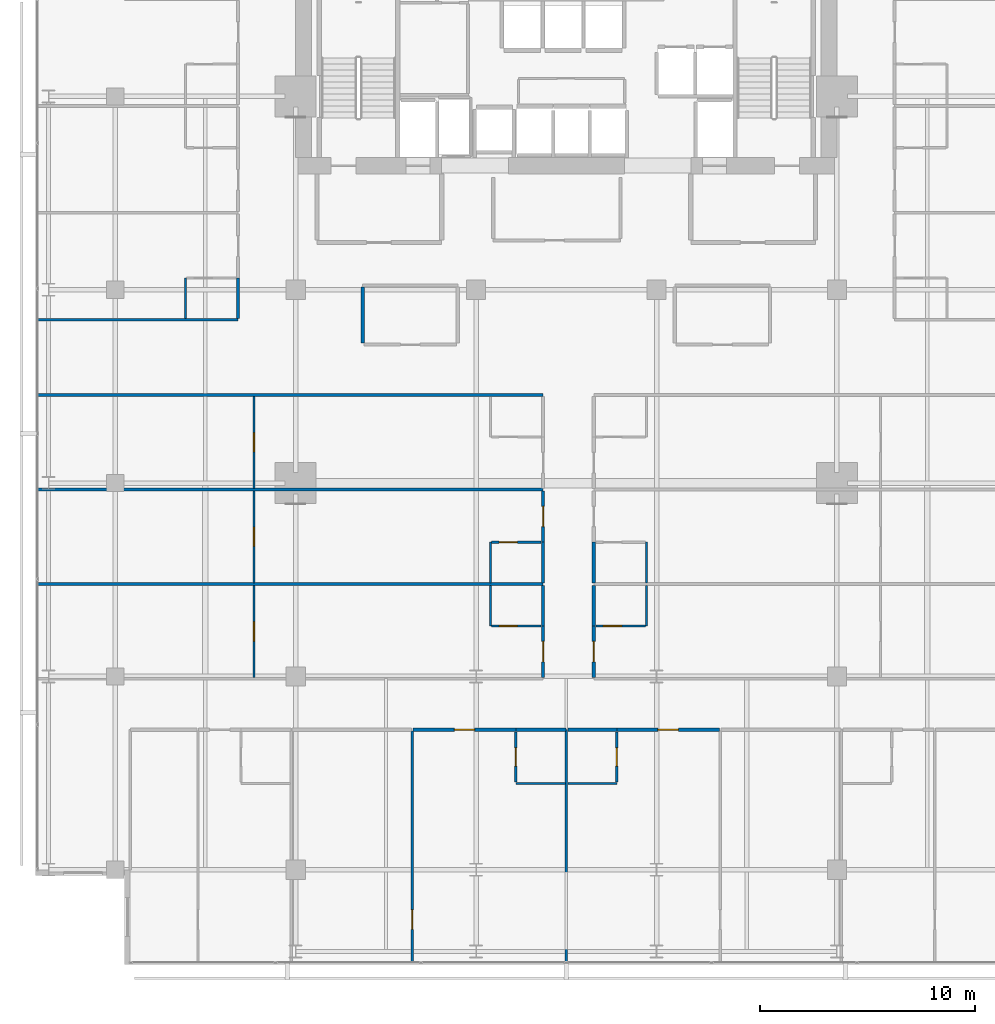
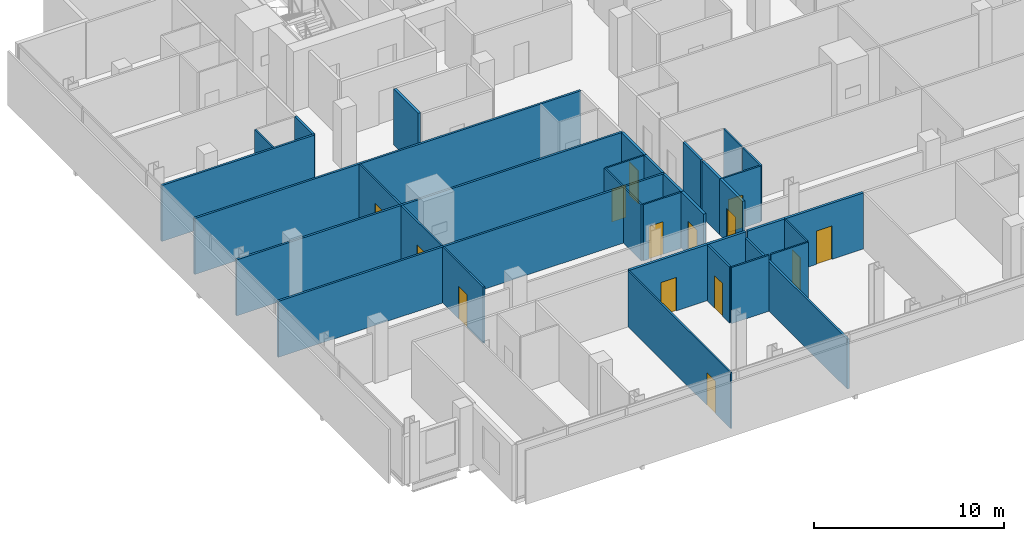
# One storey, part 27 of 34: 34 walls, 14 doors, 14 openings.
"""IFC4 building model written with IfcOpenShell, lengths in metres."""

from ifc_helpers import new_model, si_unit, direction, frame, frame_2d, origin, place, context, subcontext, project, spatial, rectangle, extrude, material, layer, layer_set, type_object, element, fill, save


model = new_model("IFC4")

# Units and contexts
model_context = context("Model", 3, precision=1e-05, world=origin(), true_north=direction((0.0, 1.0)))
body_context = subcontext(model_context, "Body", "Model", "MODEL_VIEW")
ifc_project = project(units=[si_unit("LENGTHUNIT", "METRE"), si_unit("AREAUNIT", "SQUARE_METRE"), si_unit("VOLUMEUNIT", "CUBIC_METRE"), si_unit("PLANEANGLEUNIT", "RADIAN"), si_unit("MASSUNIT", "GRAM", prefix="KILO")], contexts=[model_context])

# Site, building, storey
site_placement = place(None, origin())
site = spatial("IfcSite", under=ifc_project, at=site_placement, CompositionType="ELEMENT")
building_placement = place(site_placement, origin())
building = spatial("IfcBuilding", under=site, at=building_placement, Name="Maruvema Waterfront Hotel and Observation Tower", CompositionType="ELEMENT")
storey_placement = place(building_placement, frame((0.0, 0.0, 208.25)))
storey = spatial("IfcBuildingStorey", under=building, at=storey_placement, Name="L51", CompositionType="ELEMENT", Elevation=208.25)

# Walls
ifc_material_1 = material(Name="Twin-stud acoustic gypsum drywall", Category="gypsum")
ifc_layer_1 = layer(ifc_material_1, 0.14990234375, Name="Acoustic Corridor and Suite Demising Wall 150 mm")
ifc_layer_set_1 = layer_set([ifc_layer_1], Name="Twin-stud acoustic gypsum drywall")
wall_type_1 = type_object("IfcWallType", Name="Acoustic Corridor and Suite Demising Wall 150 mm", PredefinedType="PARTITIONING", material=ifc_layer_set_1)
wall_1_placement = place(storey_placement, frame((28.320068359375, 33.530029296875, 0.0), z_axis=(0.0, 0.0, 1.0), x_axis=(0.0, 1.0, 0.0)))
element("IfcWall", 1, at=wall_1_placement, inside=storey, type_object=wall_type_1, Name="L51 L51-M1 West Wall 022", PredefinedType="PARTITIONING", context=body_context, shape_type="SweptSolid", body=[
    extrude(rectangle(XDim=2.590087890625, YDim=0.14990234375, at=frame_2d((1.294921875, 0.0))), origin(), (0.0, 0.0, 1.0), 3.610107421875),
])
wall_2_placement = place(storey_placement, frame((35.449951171875, 15.52001953125, 0.0), z_axis=(0.0, 0.0, 1.0), x_axis=(1.0, 0.0, 0.0)))
element("IfcWall", 2, at=wall_2_placement, inside=storey, type_object=wall_type_1, Name="L51 Bath L51-S2 Back Wall 038", PredefinedType="PARTITIONING", context=body_context, shape_type="SweptSolid", body=[
    extrude(rectangle(XDim=2.330078125, YDim=0.14990234375, at=frame_2d((1.1650390625, 0.0))), origin(), (0.0, 0.0, 1.0), 3.610107421875),
])

# Wall, opening, door
wall_3_placement = place(storey_placement, frame((30.672119140625, 15.52001953125, 0.0), z_axis=(0.0, 0.0, 1.0), x_axis=(1.0, 0.0, 0.0)))
wall_3 = element("IfcWall", 3, at=wall_3_placement, inside=storey, type_object=wall_type_1, Name="L51 Unit L51-S2 Corridor Wall 042", PredefinedType="PARTITIONING", context=body_context, shape_type="SweptSolid", body=[
    extrude(rectangle(XDim=4.77783203125, YDim=0.14990234375, at=frame_2d((2.388916015625, 0.0))), origin(), (0.0, 0.0, 1.0), 3.610107421875),
])
opening_1_placement = place(wall_3_placement, frame((1.9140625, 0.0, 0.0)))
opening_1 = element("IfcOpeningElement", 4, at=opening_1_placement, cuts=wall_3, Name="Opening DR-095", PredefinedType="OPENING", context=body_context, shape_type="SweptSolid", body=[
    extrude(rectangle(XDim=0.949951171875, YDim=2.14990234375, at=frame_2d((0.47509765625, 1.074951171875))), frame((0.0, 0.0849609375, 0.0), z_axis=(0.0, -1.0, 0.0), x_axis=(1.0, 0.0, 0.0)), (0.0, 0.0, 1.0), 0.169921875),
])
ifc_material_2 = material(Name="Acoustic solid-core hardwood timber leaf", Category="wood")
door_type_1 = type_object("IfcDoorType", Name="Guestroom Entrance Fire Door 950x2150 mm", OperationType="NOTDEFINED", PredefinedType="DOOR", material=ifc_material_2)
door_1_placement = place(opening_1_placement, frame((0.949951171875, 0.0, 0.0), z_axis=(0.0, 0.0, 1.0), x_axis=(-1.0, 0.0, 0.0)))
door_1 = element("IfcDoor", 5, at=door_1_placement, inside=storey, type_object=door_type_1, Name="L51 Unit L51-S2 Entrance Door", OperationType="SINGLE_SWING_LEFT", OverallHeight=2.14990234375, OverallWidth=0.949951171875, PredefinedType="DOOR", context=body_context, shape_type="SweptSolid", body=[
    extrude(rectangle(XDim=0.949951171875, YDim=2.14990234375, at=frame_2d((0.47509765625, 1.074951171875))), frame((0.0, 0.02490234375, 0.0), z_axis=(0.0, -1.0, 0.0), x_axis=(1.0, 0.0, 0.0)), (0.0, 0.0, 1.0), 0.050048828125),
])
fill(opening_1, door_1)

# Wall
wall_4_placement = place(storey_placement, frame((37.8798828125, 15.52001953125, 0.0), z_axis=(0.0, 0.0, 1.0), x_axis=(1.0, 0.0, 0.0)))
element("IfcWall", 6, at=wall_4_placement, inside=storey, type_object=wall_type_1, Name="L51 Bath L51-S3 Back Wall 045", PredefinedType="PARTITIONING", context=body_context, shape_type="SweptSolid", body=[
    extrude(rectangle(XDim=2.27001953125, YDim=0.14990234375, at=frame_2d((1.135009765625, 0.0))), origin(), (0.0, 0.0, 1.0), 3.610107421875),
])

# Wall, opening, door
wall_5_placement = place(storey_placement, frame((40.14990234375, 15.52001953125, 0.0), z_axis=(0.0, 0.0, 1.0), x_axis=(1.0, 0.0, 0.0)))
wall_5 = element("IfcWall", 7, at=wall_5_placement, inside=storey, type_object=wall_type_1, Name="L51 Unit L51-S3 Corridor Wall 048", PredefinedType="PARTITIONING", context=body_context, shape_type="SweptSolid", body=[
    extrude(rectangle(XDim=4.778076171875, YDim=0.14990234375, at=frame_2d((2.38916015625, 0.0))), origin(), (0.0, 0.0, 1.0), 3.610107421875),
])
opening_2_placement = place(wall_5_placement, frame((1.9140625, 0.0, 0.0)))
opening_2 = element("IfcOpeningElement", 8, at=opening_2_placement, cuts=wall_5, Name="Opening DR-095", PredefinedType="OPENING", context=body_context, shape_type="SweptSolid", body=[
    extrude(rectangle(XDim=0.949951171875, YDim=2.14990234375, at=frame_2d((0.47509765625, 1.074951171875))), frame((0.0, 0.0849609375, 0.0), z_axis=(0.0, -1.0, 0.0), x_axis=(1.0, 0.0, 0.0)), (0.0, 0.0, 1.0), 0.169921875),
])
door_2_placement = place(opening_2_placement, frame((0.949951171875, 0.0, 0.0), z_axis=(0.0, 0.0, 1.0), x_axis=(-1.0, 0.0, 0.0)))
door_2 = element("IfcDoor", 9, at=door_2_placement, inside=storey, type_object=door_type_1, Name="L51 Unit L51-S3 Entrance Door", OperationType="SINGLE_SWING_RIGHT", OverallHeight=2.14990234375, OverallWidth=0.949951171875, PredefinedType="DOOR", context=body_context, shape_type="SweptSolid", body=[
    extrude(rectangle(XDim=0.949951171875, YDim=2.14990234375, at=frame_2d((0.47509765625, 1.074951171875))), frame((0.0, 0.02490234375, 0.0), z_axis=(0.0, -1.0, 0.0), x_axis=(1.0, 0.0, 0.0)), (0.0, 0.0, 1.0), 0.050048828125),
])
fill(opening_2, door_2)

wall_6_placement = place(storey_placement, frame((36.719970703125, 17.9599609375, 0.0), z_axis=(0.0, 0.0, 1.0), x_axis=(0.0, 1.0, 0.0)))
wall_6 = element("IfcWall", 10, at=wall_6_placement, inside=storey, type_object=wall_type_1, Name="L51 Room L51-W1 Corridor Wall 062", PredefinedType="PARTITIONING", context=body_context, shape_type="SweptSolid", body=[
    extrude(rectangle(XDim=2.39013671875, YDim=0.14990234375, at=frame_2d((1.195068359375, 0.0))), origin(), (0.0, 0.0, 1.0), 3.610107421875),
])
opening_3_placement = place(wall_6_placement, frame((0.719970703125, 0.0, 0.0)))
opening_3 = element("IfcOpeningElement", 11, at=opening_3_placement, cuts=wall_6, Name="Opening DR-095", PredefinedType="OPENING", context=body_context, shape_type="SweptSolid", body=[
    extrude(rectangle(XDim=0.949951171875, YDim=2.14990234375, at=frame_2d((0.47509765625, 1.074951171875))), frame((0.0, 0.0849609375, 0.0), z_axis=(0.0, -1.0, 0.0), x_axis=(1.0, 0.0, 0.0)), (0.0, 0.0, 1.0), 0.169921875),
])
door_3_placement = place(opening_3_placement, origin())
door_3 = element("IfcDoor", 12, at=door_3_placement, inside=storey, type_object=door_type_1, Name="L51 Room L51-W1 Entrance Door", OperationType="SINGLE_SWING_RIGHT", OverallHeight=2.14990234375, OverallWidth=0.949951171875, PredefinedType="DOOR", context=body_context, shape_type="SweptSolid", body=[
    extrude(rectangle(XDim=0.949951171875, YDim=2.14990234375, at=frame_2d((0.47509765625, 1.074951171875))), frame((0.0, 0.02490234375, 0.0), z_axis=(0.0, -1.0, 0.0), x_axis=(1.0, 0.0, 0.0)), (0.0, 0.0, 1.0), 0.050048828125),
])
fill(opening_3, door_3)

# Wall
wall_7_placement = place(storey_placement, frame((36.719970703125, 20.35009765625, 0.0), z_axis=(0.0, 0.0, 1.0), x_axis=(0.0, 1.0, 0.0)))
element("IfcWall", 13, at=wall_7_placement, inside=storey, type_object=wall_type_1, Name="L51 Bath L51-W1 Wall 063", PredefinedType="PARTITIONING", context=body_context, shape_type="SweptSolid", body=[
    extrude(rectangle(XDim=1.889892578125, YDim=0.14990234375, at=frame_2d((0.94482421875, 0.0))), origin(), (0.0, 0.0, 1.0), 3.610107421875),
])

# Wall, opening, door
wall_8_placement = place(storey_placement, frame((39.080078125, 17.9599609375, 0.0), z_axis=(0.0, 0.0, 1.0), x_axis=(0.0, 1.0, 0.0)))
wall_8 = element("IfcWall", 14, at=wall_8_placement, inside=storey, type_object=wall_type_1, Name="L51 Room L51-E1 Corridor Wall 067", PredefinedType="PARTITIONING", context=body_context, shape_type="SweptSolid", body=[
    extrude(rectangle(XDim=2.39013671875, YDim=0.14990234375, at=frame_2d((1.195068359375, 0.0))), origin(), (0.0, 0.0, 1.0), 3.610107421875),
])
opening_4_placement = place(wall_8_placement, frame((0.719970703125, 0.0, 0.0)))
opening_4 = element("IfcOpeningElement", 15, at=opening_4_placement, cuts=wall_8, Name="Opening DR-095", PredefinedType="OPENING", context=body_context, shape_type="SweptSolid", body=[
    extrude(rectangle(XDim=0.949951171875, YDim=2.14990234375, at=frame_2d((0.47509765625, 1.074951171875))), frame((0.0, 0.0849609375, 0.0), z_axis=(0.0, -1.0, 0.0), x_axis=(1.0, 0.0, 0.0)), (0.0, 0.0, 1.0), 0.169921875),
])
door_4_placement = place(opening_4_placement, frame((0.949951171875, 0.0, 0.0), z_axis=(0.0, 0.0, 1.0), x_axis=(-1.0, 0.0, 0.0)))
door_4 = element("IfcDoor", 16, at=door_4_placement, inside=storey, type_object=door_type_1, Name="L51 Room L51-E1 Entrance Door", OperationType="SINGLE_SWING_LEFT", OverallHeight=2.14990234375, OverallWidth=0.949951171875, PredefinedType="DOOR", context=body_context, shape_type="SweptSolid", body=[
    extrude(rectangle(XDim=0.949951171875, YDim=2.14990234375, at=frame_2d((0.47509765625, 1.074951171875))), frame((0.0, 0.02490234375, 0.0), z_axis=(0.0, -1.0, 0.0), x_axis=(1.0, 0.0, 0.0)), (0.0, 0.0, 1.0), 0.050048828125),
])
fill(opening_4, door_4)

# Walls
for number, where, z_axis, x_axis, name in (
    (17, (39.080078125, 20.35009765625, 0.0), (0.0, 0.0, 1.0), (0.0, 1.0, 0.0), "L51 Bath L51-E1 Wall 068"),
    (18, (36.719970703125, 22.360107421875, 0.0), (0.0, 0.0, 1.0), (0.0, 1.0, 0.0), "L51 Bath L51-W2 Wall 074"),
):
    element("IfcWall", number, at=place(storey_placement, frame(where, z_axis=z_axis, x_axis=x_axis)), inside=storey, type_object=wall_type_1, Name=name, PredefinedType="PARTITIONING", context=body_context, shape_type="SweptSolid", body=[
        extrude(rectangle(XDim=1.889892578125, YDim=0.14990234375, at=frame_2d((0.94482421875, 0.0))), origin(), (0.0, 0.0, 1.0), 3.610107421875),
    ])

# Wall, opening, door
wall_9_placement = place(storey_placement, frame((36.719970703125, 24.25, 0.0), z_axis=(0.0, 0.0, 1.0), x_axis=(0.0, 1.0, 0.0)))
wall_9 = element("IfcWall", 19, at=wall_9_placement, inside=storey, type_object=wall_type_1, Name="L51 Room L51-W2 Corridor Wall 075", PredefinedType="PARTITIONING", context=body_context, shape_type="SweptSolid", body=[
    extrude(rectangle(XDim=2.389892578125, YDim=0.14990234375, at=frame_2d((1.19482421875, 0.0))), origin(), (0.0, 0.0, 1.0), 3.610107421875),
])
opening_5_placement = place(wall_9_placement, frame((0.719970703125, 0.0, 0.0)))
opening_5 = element("IfcOpeningElement", 20, at=opening_5_placement, cuts=wall_9, Name="Opening DR-095", PredefinedType="OPENING", context=body_context, shape_type="SweptSolid", body=[
    extrude(rectangle(XDim=0.949951171875, YDim=2.14990234375, at=frame_2d((0.47509765625, 1.074951171875))), frame((0.0, 0.0849609375, 0.0), z_axis=(0.0, -1.0, 0.0), x_axis=(1.0, 0.0, 0.0)), (0.0, 0.0, 1.0), 0.169921875),
])
door_5_placement = place(opening_5_placement, origin())
door_5 = element("IfcDoor", 21, at=door_5_placement, inside=storey, type_object=door_type_1, Name="L51 Room L51-W2 Entrance Door", OperationType="SINGLE_SWING_RIGHT", OverallHeight=2.14990234375, OverallWidth=0.949951171875, PredefinedType="DOOR", context=body_context, shape_type="SweptSolid", body=[
    extrude(rectangle(XDim=0.949951171875, YDim=2.14990234375, at=frame_2d((0.47509765625, 1.074951171875))), frame((0.0, 0.02490234375, 0.0), z_axis=(0.0, -1.0, 0.0), x_axis=(1.0, 0.0, 0.0)), (0.0, 0.0, 1.0), 0.050048828125),
])
fill(opening_5, door_5)

# Walls
wall_10_placement = place(storey_placement, frame((39.080078125, 22.360107421875, 0.0), z_axis=(0.0, 0.0, 1.0), x_axis=(0.0, 1.0, 0.0)))
element("IfcWall", 22, at=wall_10_placement, inside=storey, type_object=wall_type_1, Name="L51 Bath L51-E2 Wall 079", PredefinedType="PARTITIONING", context=body_context, shape_type="SweptSolid", body=[
    extrude(rectangle(XDim=1.889892578125, YDim=0.14990234375, at=frame_2d((0.94482421875, 0.0))), origin(), (0.0, 0.0, 1.0), 3.610107421875),
])
wall_11_placement = place(storey_placement, frame((22.52001953125, 34.659912109375, 0.0), z_axis=(0.0, 0.0, 1.0), x_axis=(0.0, 1.0, 0.0)))
element("IfcWall", 23, at=wall_11_placement, inside=storey, type_object=wall_type_1, Name="L51 Bath L51-NW1 Wall 100", PredefinedType="PARTITIONING", context=body_context, shape_type="SweptSolid", body=[
    extrude(rectangle(XDim=1.89013671875, YDim=0.14990234375, at=frame_2d((0.945068359375, 0.0))), origin(), (0.0, 0.0, 1.0), 3.610107421875),
])
ifc_material_3 = material(Name="Moisture-resistant cement-board drywall", Category="gypsum")
ifc_layer_2 = layer(ifc_material_3, 0.10009765625, Name="En-Suite Moisture-Resistant Partition 100 mm")
ifc_layer_set_2 = layer_set([ifc_layer_2], Name="Moisture-resistant cement-board drywall")
wall_type_2 = type_object("IfcWallType", Name="En-Suite Moisture-Resistant Partition 100 mm", PredefinedType="PARTITIONING", material=ifc_layer_set_2)
wall_12_placement = place(storey_placement, frame((35.449951171875, 13.02001953125, 0.0), z_axis=(0.0, 0.0, 1.0), x_axis=(1.0, 0.0, 0.0)))
element("IfcWall", 24, at=wall_12_placement, inside=storey, type_object=wall_type_2, Name="L51 En-Suite L51-S2 South 039", PredefinedType="PARTITIONING", context=body_context, shape_type="SweptSolid", body=[
    extrude(rectangle(XDim=2.31005859375, YDim=0.10009765625, at=frame_2d((1.155029296875, 0.0))), origin(), (0.0, 0.0, 1.0), 3.610107421875),
])

# Wall, opening, door
wall_13_placement = place(storey_placement, frame((35.449951171875, 13.080078125, 0.0), z_axis=(0.0, 0.0, 1.0), x_axis=(0.0, 1.0, 0.0)))
wall_13 = element("IfcWall", 25, at=wall_13_placement, inside=storey, type_object=wall_type_2, Name="L51 En-Suite L51-S2 West 040", PredefinedType="PARTITIONING", context=body_context, shape_type="SweptSolid", body=[
    extrude(rectangle(XDim=2.33984375, YDim=0.10009765625, at=frame_2d((1.169921875, 0.0))), origin(), (0.0, 0.0, 1.0), 3.610107421875),
])
opening_6_placement = place(wall_13_placement, frame((0.7451171875, 0.0, 0.0)))
opening_6 = element("IfcOpeningElement", 26, at=opening_6_placement, cuts=wall_13, Name="Opening DR-085", PredefinedType="OPENING", context=body_context, shape_type="SweptSolid", body=[
    extrude(rectangle(XDim=0.85009765625, YDim=2.10009765625, at=frame_2d((0.425048828125, 1.050048828125))), frame((0.0, 0.06005859375, 0.0), z_axis=(0.0, -1.0, 0.0), x_axis=(1.0, 0.0, 0.0)), (0.0, 0.0, 1.0), 0.1201171875),
])
ifc_material_4 = material(Name="Moisture-resistant solid timber leaf", Category="wood")
door_type_2 = type_object("IfcDoorType", Name="En-Suite Bathroom Door 850x2100 mm", OperationType="NOTDEFINED", PredefinedType="DOOR", material=ifc_material_4)
door_6_placement = place(opening_6_placement, origin())
door_6 = element("IfcDoor", 27, at=door_6_placement, inside=storey, type_object=door_type_2, Name="L51 En-Suite L51-S2 Door", OperationType="SINGLE_SWING_RIGHT", OverallHeight=2.10009765625, OverallWidth=0.85009765625, PredefinedType="DOOR", context=body_context, shape_type="SweptSolid", body=[
    extrude(rectangle(XDim=0.85009765625, YDim=2.10009765625, at=frame_2d((0.425048828125, 1.050048828125))), frame((0.0, 0.02490234375, 0.0), z_axis=(0.0, -1.0, 0.0), x_axis=(1.0, 0.0, 0.0)), (0.0, 0.0, 1.0), 0.050048828125),
])
fill(opening_6, door_6)

wall_14_placement = place(storey_placement, frame((30.632080078125, 4.6298828125, 0.0), z_axis=(0.0, 0.0, 1.0), x_axis=(0.0, 1.0, 0.0)))
wall_14 = element("IfcWall", 28, at=wall_14_placement, inside=storey, type_object=wall_type_2, Name="L51 Suite L51-S2 Split 043", PredefinedType="PARTITIONING", context=body_context, shape_type="SweptSolid", body=[
    extrude(rectangle(XDim=10.830078125, YDim=0.10009765625, at=frame_2d((5.4150390625, 0.0))), origin(), (0.0, 0.0, 1.0), 3.610107421875),
])
opening_7_placement = place(wall_14_placement, frame((1.60009765625, 0.0, 0.0)))
opening_7 = element("IfcOpeningElement", 29, at=opening_7_placement, cuts=wall_14, Name="Opening DR-090", PredefinedType="OPENING", context=body_context, shape_type="SweptSolid", body=[
    extrude(rectangle(XDim=0.89990234375, YDim=2.10009765625, at=frame_2d((0.449951171875, 1.050048828125))), frame((0.0, 0.06005859375, 0.0), z_axis=(0.0, -1.0, 0.0), x_axis=(1.0, 0.0, 0.0)), (0.0, 0.0, 1.0), 0.1201171875),
])
ifc_material_5 = material(Name="Solid-core lacquered timber leaf", Category="wood")
door_type_3 = type_object("IfcDoorType", Name="Accessible Toilet and Room Door 900x2100 mm", OperationType="NOTDEFINED", PredefinedType="DOOR", material=ifc_material_5)
door_7_placement = place(opening_7_placement, frame((0.89990234375, 0.0, 0.0), z_axis=(0.0, 0.0, 1.0), x_axis=(-1.0, 0.0, 0.0)))
door_7 = element("IfcDoor", 30, at=door_7_placement, inside=storey, type_object=door_type_3, Name="L51 Suite L51-S2 Bedroom Door", OperationType="SINGLE_SWING_RIGHT", OverallHeight=2.10009765625, OverallWidth=0.89990234375, PredefinedType="DOOR", context=body_context, shape_type="SweptSolid", body=[
    extrude(rectangle(XDim=0.89990234375, YDim=2.10009765625, at=frame_2d((0.449951171875, 1.050048828125))), frame((0.0, 0.02490234375, 0.0), z_axis=(0.0, -1.0, 0.0), x_axis=(1.0, 0.0, 0.0)), (0.0, 0.0, 1.0), 0.050048828125),
])
fill(opening_7, door_7)

# Wall
wall_15_placement = place(storey_placement, frame((37.8798828125, 13.02001953125, 0.0), z_axis=(0.0, 0.0, 1.0), x_axis=(1.0, 0.0, 0.0)))
element("IfcWall", 31, at=wall_15_placement, inside=storey, type_object=wall_type_2, Name="L51 En-Suite L51-S3 South 046", PredefinedType="PARTITIONING", context=body_context, shape_type="SweptSolid", body=[
    extrude(rectangle(XDim=2.27001953125, YDim=0.10009765625, at=frame_2d((1.135009765625, 0.0))), origin(), (0.0, 0.0, 1.0), 3.610107421875),
])

# Wall, opening, door
wall_16_placement = place(storey_placement, frame((40.14990234375, 13.080078125, 0.0), z_axis=(0.0, 0.0, 1.0), x_axis=(0.0, 1.0, 0.0)))
wall_16 = element("IfcWall", 32, at=wall_16_placement, inside=storey, type_object=wall_type_2, Name="L51 En-Suite L51-S3 East 047", PredefinedType="PARTITIONING", context=body_context, shape_type="SweptSolid", body=[
    extrude(rectangle(XDim=2.33984375, YDim=0.10009765625, at=frame_2d((1.169921875, 0.0))), origin(), (0.0, 0.0, 1.0), 3.610107421875),
])
opening_8_placement = place(wall_16_placement, frame((0.7451171875, 0.0, 0.0)))
opening_8 = element("IfcOpeningElement", 33, at=opening_8_placement, cuts=wall_16, Name="Opening DR-085", PredefinedType="OPENING", context=body_context, shape_type="SweptSolid", body=[
    extrude(rectangle(XDim=0.85009765625, YDim=2.10009765625, at=frame_2d((0.425048828125, 1.050048828125))), frame((0.0, 0.06005859375, 0.0), z_axis=(0.0, -1.0, 0.0), x_axis=(1.0, 0.0, 0.0)), (0.0, 0.0, 1.0), 0.1201171875),
])
door_8_placement = place(opening_8_placement, frame((0.85009765625, 0.0, 0.0), z_axis=(0.0, 0.0, 1.0), x_axis=(-1.0, 0.0, 0.0)))
door_8 = element("IfcDoor", 34, at=door_8_placement, inside=storey, type_object=door_type_2, Name="L51 En-Suite L51-S3 Door", OperationType="SINGLE_SWING_LEFT", OverallHeight=2.10009765625, OverallWidth=0.85009765625, PredefinedType="DOOR", context=body_context, shape_type="SweptSolid", body=[
    extrude(rectangle(XDim=0.85009765625, YDim=2.10009765625, at=frame_2d((0.425048828125, 1.050048828125))), frame((0.0, 0.02490234375, 0.0), z_axis=(0.0, -1.0, 0.0), x_axis=(1.0, 0.0, 0.0)), (0.0, 0.0, 1.0), 0.050048828125),
])
fill(opening_8, door_8)

# Wall
wall_17_placement = place(storey_placement, frame((34.27001953125, 20.35009765625, 0.0), z_axis=(0.0, 0.0, 1.0), x_axis=(0.0, 1.0, 0.0)))
element("IfcWall", 35, at=wall_17_placement, inside=storey, type_object=wall_type_2, Name="L51 En-Suite L51-W1 W 064", PredefinedType="PARTITIONING", context=body_context, shape_type="SweptSolid", body=[
    extrude(rectangle(XDim=1.889892578125, YDim=0.10009765625, at=frame_2d((0.94482421875, 0.0))), origin(), (0.0, 0.0, 1.0), 3.610107421875),
])

# Wall, opening, door
wall_18_placement = place(storey_placement, frame((34.320068359375, 20.35009765625, 0.0), z_axis=(0.0, 0.0, 1.0), x_axis=(1.0, 0.0, 0.0)))
wall_18 = element("IfcWall", 36, at=wall_18_placement, inside=storey, type_object=wall_type_2, Name="L51 En-Suite L51-W1 S 065", PredefinedType="PARTITIONING", context=body_context, shape_type="SweptSolid", body=[
    extrude(rectangle(XDim=2.300048828125, YDim=0.10009765625, at=frame_2d((1.14990234375, 0.0))), origin(), (0.0, 0.0, 1.0), 3.610107421875),
])
opening_9_placement = place(wall_18_placement, frame((0.35009765625, 0.0, 0.0)))
opening_9 = element("IfcOpeningElement", 37, at=opening_9_placement, cuts=wall_18, Name="Opening DR-085", PredefinedType="OPENING", context=body_context, shape_type="SweptSolid", body=[
    extrude(rectangle(XDim=0.85009765625, YDim=2.10009765625, at=frame_2d((0.425048828125, 1.050048828125))), frame((0.0, 0.06005859375, 0.0), z_axis=(0.0, -1.0, 0.0), x_axis=(1.0, 0.0, 0.0)), (0.0, 0.0, 1.0), 0.1201171875),
])
door_9_placement = place(opening_9_placement, frame((0.85009765625, 0.0, 0.0), z_axis=(0.0, 0.0, 1.0), x_axis=(-1.0, 0.0, 0.0)))
door_9 = element("IfcDoor", 38, at=door_9_placement, inside=storey, type_object=door_type_2, Name="L51 En-Suite L51-W1 Door", OperationType="SINGLE_SWING_LEFT", OverallHeight=2.10009765625, OverallWidth=0.85009765625, PredefinedType="DOOR", context=body_context, shape_type="SweptSolid", body=[
    extrude(rectangle(XDim=0.85009765625, YDim=2.10009765625, at=frame_2d((0.425048828125, 1.050048828125))), frame((0.0, 0.02490234375, 0.0), z_axis=(0.0, -1.0, 0.0), x_axis=(1.0, 0.0, 0.0)), (0.0, 0.0, 1.0), 0.050048828125),
])
fill(opening_9, door_9)

wall_19_placement = place(storey_placement, frame((23.26171875, 17.9599609375, 0.0), z_axis=(0.0, 0.0, 1.0), x_axis=(0.0, 1.0, 0.0)))
wall_19 = element("IfcWall", 39, at=wall_19_placement, inside=storey, type_object=wall_type_2, Name="L51 Suite L51-W1 Split 066", PredefinedType="PARTITIONING", context=body_context, shape_type="SweptSolid", body=[
    extrude(rectangle(XDim=4.280029296875, YDim=0.10009765625, at=frame_2d((2.14013671875, 0.0))), origin(), (0.0, 0.0, 1.0), 3.610107421875),
])
opening_10_placement = place(wall_19_placement, frame((1.68994140625, 0.0, 0.0)))
opening_10 = element("IfcOpeningElement", 40, at=opening_10_placement, cuts=wall_19, Name="Opening DR-090", PredefinedType="OPENING", context=body_context, shape_type="SweptSolid", body=[
    extrude(rectangle(XDim=0.89990234375, YDim=2.10009765625, at=frame_2d((0.449951171875, 1.050048828125))), frame((0.0, 0.06005859375, 0.0), z_axis=(0.0, -1.0, 0.0), x_axis=(1.0, 0.0, 0.0)), (0.0, 0.0, 1.0), 0.1201171875),
])
door_10_placement = place(opening_10_placement, origin())
door_10 = element("IfcDoor", 41, at=door_10_placement, inside=storey, type_object=door_type_3, Name="L51 Suite L51-W1 Bedroom Door", OperationType="SINGLE_SWING_LEFT", OverallHeight=2.10009765625, OverallWidth=0.89990234375, PredefinedType="DOOR", context=body_context, shape_type="SweptSolid", body=[
    extrude(rectangle(XDim=0.89990234375, YDim=2.10009765625, at=frame_2d((0.449951171875, 1.050048828125))), frame((0.0, 0.02490234375, 0.0), z_axis=(0.0, -1.0, 0.0), x_axis=(1.0, 0.0, 0.0)), (0.0, 0.0, 1.0), 0.050048828125),
])
fill(opening_10, door_10)

# Wall
wall_20_placement = place(storey_placement, frame((41.530029296875, 20.35009765625, 0.0), z_axis=(0.0, 0.0, 1.0), x_axis=(0.0, 1.0, 0.0)))
element("IfcWall", 42, at=wall_20_placement, inside=storey, type_object=wall_type_2, Name="L51 En-Suite L51-E1 E 069", PredefinedType="PARTITIONING", context=body_context, shape_type="SweptSolid", body=[
    extrude(rectangle(XDim=1.889892578125, YDim=0.10009765625, at=frame_2d((0.94482421875, 0.0))), origin(), (0.0, 0.0, 1.0), 3.610107421875),
])

# Wall, opening, door
wall_21_placement = place(storey_placement, frame((39.179931640625, 20.35009765625, 0.0), z_axis=(0.0, 0.0, 1.0), x_axis=(1.0, 0.0, 0.0)))
wall_21 = element("IfcWall", 43, at=wall_21_placement, inside=storey, type_object=wall_type_2, Name="L51 En-Suite L51-E1 S 070", PredefinedType="PARTITIONING", context=body_context, shape_type="SweptSolid", body=[
    extrude(rectangle(XDim=2.300048828125, YDim=0.10009765625, at=frame_2d((1.14990234375, 0.0))), origin(), (0.0, 0.0, 1.0), 3.610107421875),
])
opening_11_placement = place(wall_21_placement, frame((0.35009765625, 0.0, 0.0)))
opening_11 = element("IfcOpeningElement", 44, at=opening_11_placement, cuts=wall_21, Name="Opening DR-085", PredefinedType="OPENING", context=body_context, shape_type="SweptSolid", body=[
    extrude(rectangle(XDim=0.85009765625, YDim=2.10009765625, at=frame_2d((0.425048828125, 1.050048828125))), frame((0.0, 0.06005859375, 0.0), z_axis=(0.0, -1.0, 0.0), x_axis=(1.0, 0.0, 0.0)), (0.0, 0.0, 1.0), 0.1201171875),
])
door_11_placement = place(opening_11_placement, frame((0.85009765625, 0.0, 0.0), z_axis=(0.0, 0.0, 1.0), x_axis=(-1.0, 0.0, 0.0)))
door_11 = element("IfcDoor", 45, at=door_11_placement, inside=storey, type_object=door_type_2, Name="L51 En-Suite L51-E1 Door", OperationType="SINGLE_SWING_RIGHT", OverallHeight=2.10009765625, OverallWidth=0.85009765625, PredefinedType="DOOR", context=body_context, shape_type="SweptSolid", body=[
    extrude(rectangle(XDim=0.85009765625, YDim=2.10009765625, at=frame_2d((0.425048828125, 1.050048828125))), frame((0.0, 0.02490234375, 0.0), z_axis=(0.0, -1.0, 0.0), x_axis=(1.0, 0.0, 0.0)), (0.0, 0.0, 1.0), 0.050048828125),
])
fill(opening_11, door_11)

# Wall
wall_22_placement = place(storey_placement, frame((34.27001953125, 22.360107421875, 0.0), z_axis=(0.0, 0.0, 1.0), x_axis=(0.0, 1.0, 0.0)))
element("IfcWall", 46, at=wall_22_placement, inside=storey, type_object=wall_type_2, Name="L51 En-Suite L51-W2 W 076", PredefinedType="PARTITIONING", context=body_context, shape_type="SweptSolid", body=[
    extrude(rectangle(XDim=1.889892578125, YDim=0.10009765625, at=frame_2d((0.94482421875, 0.0))), origin(), (0.0, 0.0, 1.0), 3.610107421875),
])

# Wall, opening, door
wall_23_placement = place(storey_placement, frame((34.320068359375, 24.25, 0.0), z_axis=(0.0, 0.0, 1.0), x_axis=(1.0, 0.0, 0.0)))
wall_23 = element("IfcWall", 47, at=wall_23_placement, inside=storey, type_object=wall_type_2, Name="L51 En-Suite L51-W2 N 077", PredefinedType="PARTITIONING", context=body_context, shape_type="SweptSolid", body=[
    extrude(rectangle(XDim=2.300048828125, YDim=0.10009765625, at=frame_2d((1.14990234375, 0.0))), origin(), (0.0, 0.0, 1.0), 3.610107421875),
])
opening_12_placement = place(wall_23_placement, frame((0.35009765625, 0.0, 0.0)))
opening_12 = element("IfcOpeningElement", 48, at=opening_12_placement, cuts=wall_23, Name="Opening DR-085", PredefinedType="OPENING", context=body_context, shape_type="SweptSolid", body=[
    extrude(rectangle(XDim=0.85009765625, YDim=2.10009765625, at=frame_2d((0.425048828125, 1.050048828125))), frame((0.0, 0.06005859375, 0.0), z_axis=(0.0, -1.0, 0.0), x_axis=(1.0, 0.0, 0.0)), (0.0, 0.0, 1.0), 0.1201171875),
])
door_12_placement = place(opening_12_placement, origin())
door_12 = element("IfcDoor", 49, at=door_12_placement, inside=storey, type_object=door_type_2, Name="L51 En-Suite L51-W2 Door", OperationType="SINGLE_SWING_LEFT", OverallHeight=2.10009765625, OverallWidth=0.85009765625, PredefinedType="DOOR", context=body_context, shape_type="SweptSolid", body=[
    extrude(rectangle(XDim=0.85009765625, YDim=2.10009765625, at=frame_2d((0.425048828125, 1.050048828125))), frame((0.0, 0.02490234375, 0.0), z_axis=(0.0, -1.0, 0.0), x_axis=(1.0, 0.0, 0.0)), (0.0, 0.0, 1.0), 0.050048828125),
])
fill(opening_12, door_12)

wall_24_placement = place(storey_placement, frame((23.26171875, 22.360107421875, 0.0), z_axis=(0.0, 0.0, 1.0), x_axis=(0.0, 1.0, 0.0)))
wall_24 = element("IfcWall", 50, at=wall_24_placement, inside=storey, type_object=wall_type_2, Name="L51 Suite L51-W2 Split 078", PredefinedType="PARTITIONING", context=body_context, shape_type="SweptSolid", body=[
    extrude(rectangle(XDim=4.27978515625, YDim=0.10009765625, at=frame_2d((2.139892578125, 0.0))), origin(), (0.0, 0.0, 1.0), 3.610107421875),
])
opening_13_placement = place(wall_24_placement, frame((1.68994140625, 0.0, 0.0)))
opening_13 = element("IfcOpeningElement", 51, at=opening_13_placement, cuts=wall_24, Name="Opening DR-090", PredefinedType="OPENING", context=body_context, shape_type="SweptSolid", body=[
    extrude(rectangle(XDim=0.89990234375, YDim=2.10009765625, at=frame_2d((0.449951171875, 1.050048828125))), frame((0.0, 0.06005859375, 0.0), z_axis=(0.0, -1.0, 0.0), x_axis=(1.0, 0.0, 0.0)), (0.0, 0.0, 1.0), 0.1201171875),
])
door_13_placement = place(opening_13_placement, origin())
door_13 = element("IfcDoor", 52, at=door_13_placement, inside=storey, type_object=door_type_3, Name="L51 Suite L51-W2 Bedroom Door", OperationType="SINGLE_SWING_LEFT", OverallHeight=2.10009765625, OverallWidth=0.89990234375, PredefinedType="DOOR", context=body_context, shape_type="SweptSolid", body=[
    extrude(rectangle(XDim=0.89990234375, YDim=2.10009765625, at=frame_2d((0.449951171875, 1.050048828125))), frame((0.0, 0.02490234375, 0.0), z_axis=(0.0, -1.0, 0.0), x_axis=(1.0, 0.0, 0.0)), (0.0, 0.0, 1.0), 0.050048828125),
])
fill(opening_13, door_13)

# Wall
wall_25_placement = place(storey_placement, frame((41.530029296875, 22.360107421875, 0.0), z_axis=(0.0, 0.0, 1.0), x_axis=(0.0, 1.0, 0.0)))
element("IfcWall", 53, at=wall_25_placement, inside=storey, type_object=wall_type_2, Name="L51 En-Suite L51-E2 E 081", PredefinedType="PARTITIONING", context=body_context, shape_type="SweptSolid", body=[
    extrude(rectangle(XDim=1.889892578125, YDim=0.10009765625, at=frame_2d((0.94482421875, 0.0))), origin(), (0.0, 0.0, 1.0), 3.610107421875),
])

# Wall, opening, door
wall_26_placement = place(storey_placement, frame((23.26171875, 26.760009765625, 0.0), z_axis=(0.0, 0.0, 1.0), x_axis=(0.0, 1.0, 0.0)))
wall_26 = element("IfcWall", 54, at=wall_26_placement, inside=storey, type_object=wall_type_2, Name="L51 Suite L51-W3 Split 090", PredefinedType="PARTITIONING", context=body_context, shape_type="SweptSolid", body=[
    extrude(rectangle(XDim=4.280029296875, YDim=0.10009765625, at=frame_2d((2.14013671875, 0.0))), origin(), (0.0, 0.0, 1.0), 3.610107421875),
])
opening_14_placement = place(wall_26_placement, frame((1.68994140625, 0.0, 0.0)))
opening_14 = element("IfcOpeningElement", 55, at=opening_14_placement, cuts=wall_26, Name="Opening DR-090", PredefinedType="OPENING", context=body_context, shape_type="SweptSolid", body=[
    extrude(rectangle(XDim=0.89990234375, YDim=2.10009765625, at=frame_2d((0.449951171875, 1.050048828125))), frame((0.0, 0.06005859375, 0.0), z_axis=(0.0, -1.0, 0.0), x_axis=(1.0, 0.0, 0.0)), (0.0, 0.0, 1.0), 0.1201171875),
])
door_14_placement = place(opening_14_placement, origin())
door_14 = element("IfcDoor", 56, at=door_14_placement, inside=storey, type_object=door_type_3, Name="L51 Suite L51-W3 Bedroom Door", OperationType="SINGLE_SWING_LEFT", OverallHeight=2.10009765625, OverallWidth=0.89990234375, PredefinedType="DOOR", context=body_context, shape_type="SweptSolid", body=[
    extrude(rectangle(XDim=0.89990234375, YDim=2.10009765625, at=frame_2d((0.449951171875, 1.050048828125))), frame((0.0, 0.02490234375, 0.0), z_axis=(0.0, -1.0, 0.0), x_axis=(1.0, 0.0, 0.0)), (0.0, 0.0, 1.0), 0.050048828125),
])
fill(opening_14, door_14)

# Walls
wall_27_placement = place(storey_placement, frame((20.070068359375, 34.659912109375, 0.0), z_axis=(0.0, 0.0, 1.0), x_axis=(0.0, 1.0, 0.0)))
element("IfcWall", 57, at=wall_27_placement, inside=storey, type_object=wall_type_2, Name="L51 En-Suite L51-NW1 W 102", PredefinedType="PARTITIONING", context=body_context, shape_type="SweptSolid", body=[
    extrude(rectangle(XDim=1.89013671875, YDim=0.10009765625, at=frame_2d((0.945068359375, 0.0))), origin(), (0.0, 0.0, 1.0), 3.610107421875),
])
ifc_material_6 = material(Name="Acoustic gypsum plasterboard drywall", Category="gypsum")
ifc_layer_3 = layer(ifc_material_6, 0.125, Name="Guestroom Acoustic Demising Wall 125 mm")
ifc_layer_set_3 = layer_set([ifc_layer_3], Name="Acoustic gypsum plasterboard drywall")
wall_type_3 = type_object("IfcWallType", Name="Guestroom Acoustic Demising Wall 125 mm", PredefinedType="PARTITIONING", material=ifc_layer_set_3)
wall_28_placement = place(storey_placement, frame((37.800048828125, 4.699951171875, 0.0), z_axis=(0.0, 0.0, 1.0), x_axis=(0.0, 1.0, 0.0)))
element("IfcWall", 58, at=wall_28_placement, inside=storey, type_object=wall_type_3, Name="L51 Z2 S Demising 3 044", PredefinedType="PARTITIONING", context=body_context, shape_type="SweptSolid", body=[
    extrude(rectangle(XDim=10.820068359375, YDim=0.125, at=frame_2d((5.41015625, 0.0))), origin(), (0.0, 0.0, 1.0), 3.20703125),
])
for number, where, z_axis, x_axis, name in (
    (59, (13.199951171875, 31.10009765625, 0.0), (0.0, 0.0, 1.0), (1.0, 0.0, 0.0), "L51 Z2 W Top End 060"),
    (60, (13.199951171875, 22.300048828125, 0.0), (0.0, 0.0, 1.0), (1.0, 0.0, 0.0), "L51 Z2 W Demising 2 072"),
    (61, (13.199951171875, 26.699951171875, 0.0), (0.0, 0.0, 1.0), (1.0, 0.0, 0.0), "L51 Z2 W Demising 3 084"),
):
    element("IfcWall", number, at=place(storey_placement, frame(where, z_axis=z_axis, x_axis=x_axis)), inside=storey, type_object=wall_type_3, Name=name, PredefinedType="PARTITIONING", context=body_context, shape_type="SweptSolid", body=[
        extrude(rectangle(XDim=23.52001953125, YDim=0.125, at=frame_2d((11.760009765625, 0.0))), origin(), (0.0, 0.0, 1.0), 3.610107421875),
    ])
wall_29_placement = place(storey_placement, frame((13.199951171875, 34.60009765625, 0.0), z_axis=(0.0, 0.0, 1.0), x_axis=(1.0, 0.0, 0.0)))
element("IfcWall", 62, at=wall_29_placement, inside=storey, type_object=wall_type_3, Name="L51 Z2 NW Bot End 096", PredefinedType="PARTITIONING", context=body_context, shape_type="SweptSolid", body=[
    extrude(rectangle(XDim=9.320068359375, YDim=0.125, at=frame_2d((4.66015625, 0.0))), origin(), (0.0, 0.0, 1.0), 3.610107421875),
])

save(model, "model.ifc")
